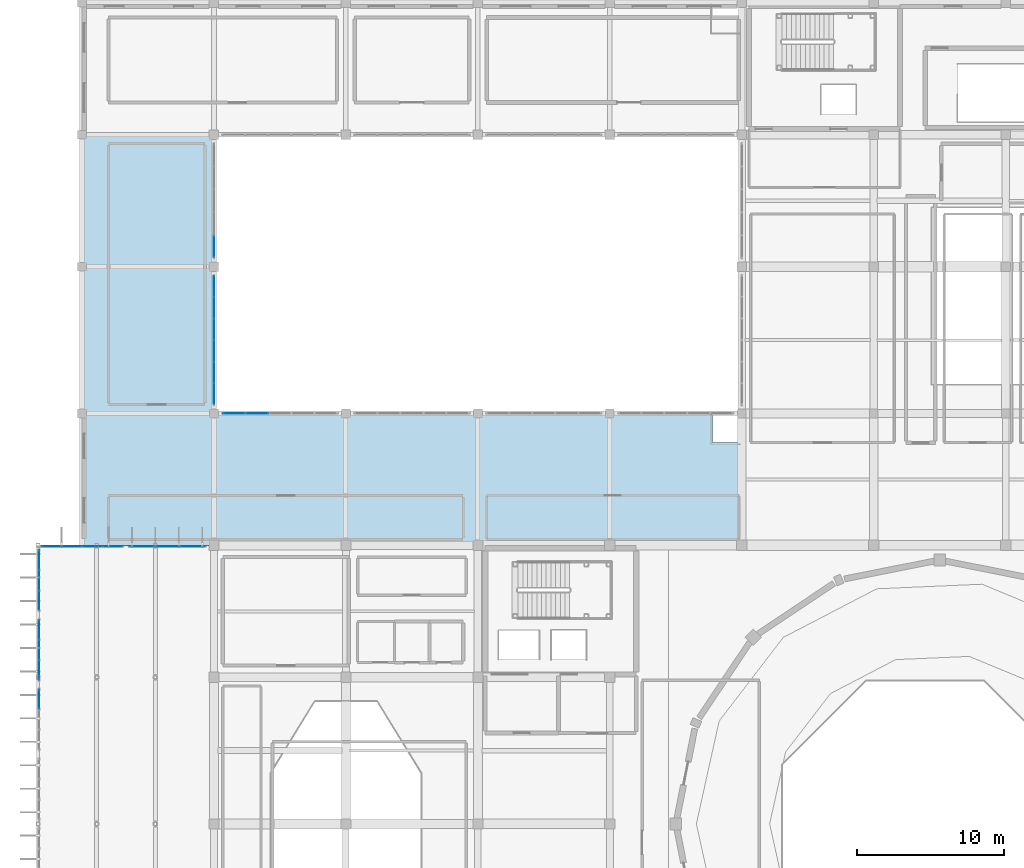
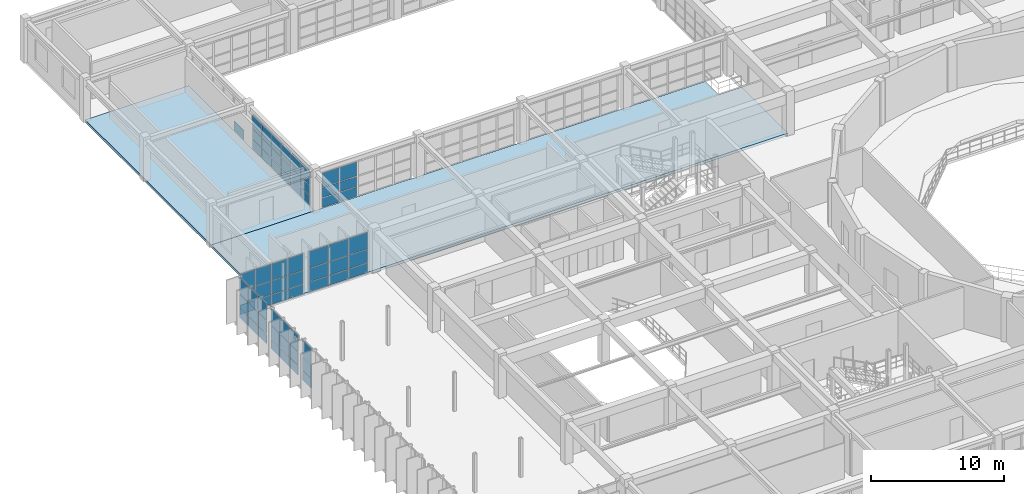
# One storey, part 84 of 110: 67 plates, 2 slabs, 8 elements without a shape of their own.
"""IFC4 building model written with IfcOpenShell, lengths in metres."""

from ifc_helpers import new_model, si_unit, direction, frame, origin, origin_2d, place, context, subcontext, project, spatial, polyline, rectangle, outline, extrude, material, layer, layer_set, type_object, element, aggregate, save


model = new_model("IFC4")

# Units and contexts
model_context = context("Model", 3, precision=1e-05, world=origin(), true_north=direction((0.0, 1.0)))
body_context = subcontext(model_context, "Body", "Model", "MODEL_VIEW")
ifc_project = project(units=[si_unit("LENGTHUNIT", "METRE"), si_unit("AREAUNIT", "SQUARE_METRE"), si_unit("VOLUMEUNIT", "CUBIC_METRE"), si_unit("PLANEANGLEUNIT", "RADIAN"), si_unit("MASSUNIT", "GRAM", prefix="KILO")], contexts=[model_context])

# Site, building, storey
site_placement = place(None, origin())
site = spatial("IfcSite", under=ifc_project, at=site_placement, CompositionType="ELEMENT")
building_placement = place(site_placement, origin())
building = spatial("IfcBuilding", under=site, at=building_placement, Name="Miravela Opera House", CompositionType="ELEMENT")
storey_placement = place(building_placement, frame((0.0, 0.0, 13.60009765625)))
storey = spatial("IfcBuildingStorey", under=building, at=storey_placement, Name="L03", CompositionType="ELEMENT", Elevation=13.60009765625)

# Curtain wall, plates
ifc_material_1 = material(Name="Anodised architectural bronze aluminium 6063-T6", Category="aluminium")
curtain_wall_type_1 = type_object("IfcCurtainWallType", Name="ARC-CW-05", PredefinedType="NOTDEFINED", material=ifc_material_1)
curtain_wall_1_placement = place(storey_placement, origin())
curtain_wall_1 = element("IfcCurtainWall", 1, at=curtain_wall_1_placement, inside=storey, type_object=curtain_wall_type_1, Name="Courtyard Arcade Curtain Wall CW-L03-101", PredefinedType="NOTDEFINED")
ifc_material_2 = material(Name="Acoustic laminated low-E insulating glass", Category="glass")
ifc_layer_1 = layer(ifc_material_2, 0.028076171875)
ifc_layer_set_1 = layer_set([ifc_layer_1])
plate_type_1 = type_object("IfcPlateType", Name="ARC-CWP-28", PredefinedType="CURTAIN_PANEL", material=ifc_layer_set_1)
plate_1_placement = place(storey_placement, frame((28.37890625, 84.0, 0.06005859375), z_axis=(0.0, 0.0, 1.0), x_axis=(1.0, 0.0, 0.0)))
plate_1 = element("IfcPlate", 2, at=plate_1_placement, type_object=plate_type_1, Name="CW-05 panel 1.1", PredefinedType="CURTAIN_PANEL", context=body_context, shape_type="SweptSolid", body=[
    extrude(rectangle(XDim=1.47802734375, YDim=0.028076171875, at=origin_2d()), origin(), (0.0, 0.0, 1.0), 0.860107421875),
])
plate_2_placement = place(storey_placement, frame((28.37890625, 84.0, 0.97998046875), z_axis=(0.0, 0.0, 1.0), x_axis=(1.0, 0.0, 0.0)))
plate_2 = element("IfcPlate", 3, at=plate_2_placement, type_object=plate_type_1, Name="CW-05 panel 1.2", PredefinedType="CURTAIN_PANEL", context=body_context, shape_type="SweptSolid", body=[
    extrude(rectangle(XDim=1.47802734375, YDim=0.028076171875, at=origin_2d()), origin(), (0.0, 0.0, 1.0), 0.898193359375),
])
plate_3_placement = place(storey_placement, frame((28.37890625, 84.0, 1.93798828125), z_axis=(0.0, 0.0, 1.0), x_axis=(1.0, 0.0, 0.0)))
plate_3 = element("IfcPlate", 4, at=plate_3_placement, type_object=plate_type_1, Name="CW-05 panel 1.3", PredefinedType="CURTAIN_PANEL", context=body_context, shape_type="SweptSolid", body=[
    extrude(rectangle(XDim=1.47802734375, YDim=0.028076171875, at=origin_2d()), origin(), (0.0, 0.0, 1.0), 1.291748046875),
])
plate_4_placement = place(storey_placement, frame((29.931884765625, 84.0, 0.06005859375), z_axis=(0.0, 0.0, 1.0), x_axis=(1.0, 0.0, 0.0)))
plate_4 = element("IfcPlate", 5, at=plate_4_placement, type_object=plate_type_1, Name="CW-05 panel 2.1", PredefinedType="CURTAIN_PANEL", context=body_context, shape_type="SweptSolid", body=[
    extrude(rectangle(XDim=1.508056640625, YDim=0.028076171875, at=origin_2d()), origin(), (0.0, 0.0, 1.0), 0.860107421875),
])
plate_5_placement = place(storey_placement, frame((29.931884765625, 84.0, 0.97998046875), z_axis=(0.0, 0.0, 1.0), x_axis=(1.0, 0.0, 0.0)))
plate_5 = element("IfcPlate", 6, at=plate_5_placement, type_object=plate_type_1, Name="CW-05 panel 2.2", PredefinedType="CURTAIN_PANEL", context=body_context, shape_type="SweptSolid", body=[
    extrude(rectangle(XDim=1.508056640625, YDim=0.028076171875, at=origin_2d()), origin(), (0.0, 0.0, 1.0), 0.898193359375),
])
plate_6_placement = place(storey_placement, frame((29.931884765625, 84.0, 1.93798828125), z_axis=(0.0, 0.0, 1.0), x_axis=(1.0, 0.0, 0.0)))
plate_6 = element("IfcPlate", 7, at=plate_6_placement, type_object=plate_type_1, Name="CW-05 panel 2.3", PredefinedType="CURTAIN_PANEL", context=body_context, shape_type="SweptSolid", body=[
    extrude(rectangle(XDim=1.508056640625, YDim=0.028076171875, at=origin_2d()), origin(), (0.0, 0.0, 1.0), 1.291748046875),
])
aggregate(curtain_wall_1, [plate_1, plate_2, plate_3, plate_4, plate_5, plate_6])

curtain_wall_2_placement = place(storey_placement, origin())
curtain_wall_2 = element("IfcCurtainWall", 8, at=curtain_wall_2_placement, inside=storey, type_object=curtain_wall_type_1, Name="Courtyard Arcade Curtain Wall CW-L03-109", PredefinedType="NOTDEFINED")
plate_7_placement = place(storey_placement, frame((27.0, 85.331787109375, 0.06005859375), z_axis=(0.0, 0.0, 1.0), x_axis=(0.0, 1.0, 0.0)))
plate_7 = element("IfcPlate", 9, at=plate_7_placement, type_object=plate_type_1, Name="CW-05 panel 1.1", PredefinedType="CURTAIN_PANEL", context=body_context, shape_type="SweptSolid", body=[
    extrude(rectangle(XDim=1.38330078125, YDim=0.028076171875, at=origin_2d()), origin(), (0.0, 0.0, 1.0), 0.860107421875),
])
plate_8_placement = place(storey_placement, frame((27.0, 85.331787109375, 0.97998046875), z_axis=(0.0, 0.0, 1.0), x_axis=(0.0, 1.0, 0.0)))
plate_8 = element("IfcPlate", 10, at=plate_8_placement, type_object=plate_type_1, Name="CW-05 panel 1.2", PredefinedType="CURTAIN_PANEL", context=body_context, shape_type="SweptSolid", body=[
    extrude(rectangle(XDim=1.38330078125, YDim=0.028076171875, at=origin_2d()), origin(), (0.0, 0.0, 1.0), 0.898193359375),
])
plate_9_placement = place(storey_placement, frame((27.0, 85.331787109375, 1.93798828125), z_axis=(0.0, 0.0, 1.0), x_axis=(0.0, 1.0, 0.0)))
plate_9 = element("IfcPlate", 11, at=plate_9_placement, type_object=plate_type_1, Name="CW-05 panel 1.3", PredefinedType="CURTAIN_PANEL", context=body_context, shape_type="SweptSolid", body=[
    extrude(rectangle(XDim=1.38330078125, YDim=0.028076171875, at=origin_2d()), origin(), (0.0, 0.0, 1.0), 1.291748046875),
])
plate_10_placement = place(storey_placement, frame((27.0, 86.7900390625, 0.06005859375), z_axis=(0.0, 0.0, 1.0), x_axis=(0.0, 1.0, 0.0)))
plate_10 = element("IfcPlate", 12, at=plate_10_placement, type_object=plate_type_1, Name="CW-05 panel 2.1", PredefinedType="CURTAIN_PANEL", context=body_context, shape_type="SweptSolid", body=[
    extrude(rectangle(XDim=1.413330078125, YDim=0.028076171875, at=origin_2d()), origin(), (0.0, 0.0, 1.0), 0.860107421875),
])
plate_11_placement = place(storey_placement, frame((27.0, 86.7900390625, 0.97998046875), z_axis=(0.0, 0.0, 1.0), x_axis=(0.0, 1.0, 0.0)))
plate_11 = element("IfcPlate", 13, at=plate_11_placement, type_object=plate_type_1, Name="CW-05 panel 2.2", PredefinedType="CURTAIN_PANEL", context=body_context, shape_type="SweptSolid", body=[
    extrude(rectangle(XDim=1.413330078125, YDim=0.028076171875, at=origin_2d()), origin(), (0.0, 0.0, 1.0), 0.898193359375),
])
plate_12_placement = place(storey_placement, frame((27.0, 86.7900390625, 1.93798828125), z_axis=(0.0, 0.0, 1.0), x_axis=(0.0, 1.0, 0.0)))
plate_12 = element("IfcPlate", 14, at=plate_12_placement, type_object=plate_type_1, Name="CW-05 panel 2.3", PredefinedType="CURTAIN_PANEL", context=body_context, shape_type="SweptSolid", body=[
    extrude(rectangle(XDim=1.413330078125, YDim=0.028076171875, at=origin_2d()), origin(), (0.0, 0.0, 1.0), 1.291748046875),
])
plate_13_placement = place(storey_placement, frame((27.0, 88.263427734375, 0.06005859375), z_axis=(0.0, 0.0, 1.0), x_axis=(0.0, 1.0, 0.0)))
plate_13 = element("IfcPlate", 15, at=plate_13_placement, type_object=plate_type_1, Name="CW-05 panel 3.1", PredefinedType="CURTAIN_PANEL", context=body_context, shape_type="SweptSolid", body=[
    extrude(rectangle(XDim=1.413330078125, YDim=0.028076171875, at=origin_2d()), origin(), (0.0, 0.0, 1.0), 0.860107421875),
])
plate_14_placement = place(storey_placement, frame((27.0, 88.263427734375, 0.97998046875), z_axis=(0.0, 0.0, 1.0), x_axis=(0.0, 1.0, 0.0)))
plate_14 = element("IfcPlate", 16, at=plate_14_placement, type_object=plate_type_1, Name="CW-05 panel 3.2", PredefinedType="CURTAIN_PANEL", context=body_context, shape_type="SweptSolid", body=[
    extrude(rectangle(XDim=1.413330078125, YDim=0.028076171875, at=origin_2d()), origin(), (0.0, 0.0, 1.0), 0.898193359375),
])
plate_15_placement = place(storey_placement, frame((27.0, 88.263427734375, 1.93798828125), z_axis=(0.0, 0.0, 1.0), x_axis=(0.0, 1.0, 0.0)))
plate_15 = element("IfcPlate", 17, at=plate_15_placement, type_object=plate_type_1, Name="CW-05 panel 3.3", PredefinedType="CURTAIN_PANEL", context=body_context, shape_type="SweptSolid", body=[
    extrude(rectangle(XDim=1.413330078125, YDim=0.028076171875, at=origin_2d()), origin(), (0.0, 0.0, 1.0), 1.291748046875),
])
plate_16_placement = place(storey_placement, frame((27.0, 89.736572265625, 0.06005859375), z_axis=(0.0, 0.0, 1.0), x_axis=(0.0, 1.0, 0.0)))
plate_16 = element("IfcPlate", 18, at=plate_16_placement, type_object=plate_type_1, Name="CW-05 panel 4.1", PredefinedType="CURTAIN_PANEL", context=body_context, shape_type="SweptSolid", body=[
    extrude(rectangle(XDim=1.413330078125, YDim=0.028076171875, at=origin_2d()), origin(), (0.0, 0.0, 1.0), 0.860107421875),
])
plate_17_placement = place(storey_placement, frame((27.0, 89.736572265625, 0.97998046875), z_axis=(0.0, 0.0, 1.0), x_axis=(0.0, 1.0, 0.0)))
plate_17 = element("IfcPlate", 19, at=plate_17_placement, type_object=plate_type_1, Name="CW-05 panel 4.2", PredefinedType="CURTAIN_PANEL", context=body_context, shape_type="SweptSolid", body=[
    extrude(rectangle(XDim=1.413330078125, YDim=0.028076171875, at=origin_2d()), origin(), (0.0, 0.0, 1.0), 0.898193359375),
])
plate_18_placement = place(storey_placement, frame((27.0, 89.736572265625, 1.93798828125), z_axis=(0.0, 0.0, 1.0), x_axis=(0.0, 1.0, 0.0)))
plate_18 = element("IfcPlate", 20, at=plate_18_placement, type_object=plate_type_1, Name="CW-05 panel 4.3", PredefinedType="CURTAIN_PANEL", context=body_context, shape_type="SweptSolid", body=[
    extrude(rectangle(XDim=1.413330078125, YDim=0.028076171875, at=origin_2d()), origin(), (0.0, 0.0, 1.0), 1.291748046875),
])
plate_19_placement = place(storey_placement, frame((27.0, 91.2099609375, 0.06005859375), z_axis=(0.0, 0.0, 1.0), x_axis=(0.0, 1.0, 0.0)))
plate_19 = element("IfcPlate", 21, at=plate_19_placement, type_object=plate_type_1, Name="CW-05 panel 5.1", PredefinedType="CURTAIN_PANEL", context=body_context, shape_type="SweptSolid", body=[
    extrude(rectangle(XDim=1.413330078125, YDim=0.028076171875, at=origin_2d()), origin(), (0.0, 0.0, 1.0), 0.860107421875),
])
plate_20_placement = place(storey_placement, frame((27.0, 91.2099609375, 0.97998046875), z_axis=(0.0, 0.0, 1.0), x_axis=(0.0, 1.0, 0.0)))
plate_20 = element("IfcPlate", 22, at=plate_20_placement, type_object=plate_type_1, Name="CW-05 panel 5.2", PredefinedType="CURTAIN_PANEL", context=body_context, shape_type="SweptSolid", body=[
    extrude(rectangle(XDim=1.413330078125, YDim=0.028076171875, at=origin_2d()), origin(), (0.0, 0.0, 1.0), 0.898193359375),
])
plate_21_placement = place(storey_placement, frame((27.0, 91.2099609375, 1.93798828125), z_axis=(0.0, 0.0, 1.0), x_axis=(0.0, 1.0, 0.0)))
plate_21 = element("IfcPlate", 23, at=plate_21_placement, type_object=plate_type_1, Name="CW-05 panel 5.3", PredefinedType="CURTAIN_PANEL", context=body_context, shape_type="SweptSolid", body=[
    extrude(rectangle(XDim=1.413330078125, YDim=0.028076171875, at=origin_2d()), origin(), (0.0, 0.0, 1.0), 1.291748046875),
])
plate_22_placement = place(storey_placement, frame((27.0, 92.668212890625, 0.06005859375), z_axis=(0.0, 0.0, 1.0), x_axis=(0.0, 1.0, 0.0)))
plate_22 = element("IfcPlate", 24, at=plate_22_placement, type_object=plate_type_1, Name="CW-05 panel 6.1", PredefinedType="CURTAIN_PANEL", context=body_context, shape_type="SweptSolid", body=[
    extrude(rectangle(XDim=1.38330078125, YDim=0.028076171875, at=origin_2d()), origin(), (0.0, 0.0, 1.0), 0.860107421875),
])
plate_23_placement = place(storey_placement, frame((27.0, 92.668212890625, 0.97998046875), z_axis=(0.0, 0.0, 1.0), x_axis=(0.0, 1.0, 0.0)))
plate_23 = element("IfcPlate", 25, at=plate_23_placement, type_object=plate_type_1, Name="CW-05 panel 6.2", PredefinedType="CURTAIN_PANEL", context=body_context, shape_type="SweptSolid", body=[
    extrude(rectangle(XDim=1.38330078125, YDim=0.028076171875, at=origin_2d()), origin(), (0.0, 0.0, 1.0), 0.898193359375),
])
plate_24_placement = place(storey_placement, frame((27.0, 92.668212890625, 1.93798828125), z_axis=(0.0, 0.0, 1.0), x_axis=(0.0, 1.0, 0.0)))
plate_24 = element("IfcPlate", 26, at=plate_24_placement, type_object=plate_type_1, Name="CW-05 panel 6.3", PredefinedType="CURTAIN_PANEL", context=body_context, shape_type="SweptSolid", body=[
    extrude(rectangle(XDim=1.38330078125, YDim=0.028076171875, at=origin_2d()), origin(), (0.0, 0.0, 1.0), 1.291748046875),
])
aggregate(curtain_wall_2, [plate_7, plate_8, plate_9, plate_10, plate_11, plate_12, plate_13, plate_14, plate_15, plate_16, plate_17, plate_18, plate_19, plate_20, plate_21, plate_22, plate_23, plate_24])

# Curtain wall, plate
curtain_wall_3_placement = place(storey_placement, origin())
curtain_wall_3 = element("IfcCurtainWall", 27, at=curtain_wall_3_placement, inside=storey, type_object=curtain_wall_type_1, Name="Courtyard Arcade Curtain Wall CW-L03-110", PredefinedType="NOTDEFINED")
plate_25_placement = place(storey_placement, frame((27.0, 95.37890625, 0.06005859375), z_axis=(0.0, 0.0, 1.0), x_axis=(0.0, 1.0, 0.0)))
plate_25 = element("IfcPlate", 28, at=plate_25_placement, type_object=plate_type_1, Name="CW-05 panel 1.1", PredefinedType="CURTAIN_PANEL", context=body_context, shape_type="SweptSolid", body=[
    extrude(rectangle(XDim=1.47802734375, YDim=0.028076171875, at=origin_2d()), origin(), (0.0, 0.0, 1.0), 0.860107421875),
])
aggregate(curtain_wall_3, [plate_25])

# Curtain wall, plates
curtain_wall_type_2 = type_object("IfcCurtainWallType", Name="ARC-CW-02", PredefinedType="NOTDEFINED", material=ifc_material_1)
curtain_wall_4_placement = place(storey_placement, origin())
curtain_wall_4 = element("IfcCurtainWall", 29, at=curtain_wall_4_placement, inside=storey, type_object=curtain_wall_type_2, Name="Cantilever West Wrapper Glazing B6 CW-L03-020", PredefinedType="NOTDEFINED")
ifc_material_3 = material(Name="Triple-glazed acoustic laminated low-E glass", Category="glass")
ifc_layer_2 = layer(ifc_material_3, 0.035888671875)
ifc_layer_set_2 = layer_set([ifc_layer_2])
plate_type_2 = type_object("IfcPlateType", Name="ARC-CWP-36", PredefinedType="CURTAIN_PANEL", material=ifc_layer_set_2)
plate_26_placement = place(storey_placement, frame((15.080078125, 64.50537109375, 0.06494140625), z_axis=(0.0, 0.0, 1.0), x_axis=(0.0, 1.0, 0.0)))
plate_26 = element("IfcPlate", 30, at=plate_26_placement, type_object=plate_type_2, Name="CW-02 panel 3.1", PredefinedType="CURTAIN_PANEL", context=body_context, shape_type="SweptSolid", body=[
    extrude(rectangle(XDim=1.299072265625, YDim=0.035888671875, at=origin_2d()), origin(), (0.0, 0.0, 1.0), 0.8525390625),
])
plate_27_placement = place(storey_placement, frame((15.080078125, 64.50537109375, 0.982421875), z_axis=(0.0, 0.0, 1.0), x_axis=(0.0, 1.0, 0.0)))
plate_27 = element("IfcPlate", 31, at=plate_27_placement, type_object=plate_type_2, Name="CW-02 panel 3.2", PredefinedType="CURTAIN_PANEL", context=body_context, shape_type="SweptSolid", body=[
    extrude(rectangle(XDim=1.299072265625, YDim=0.035888671875, at=origin_2d()), origin(), (0.0, 0.0, 1.0), 1.20068359375),
])
plate_28_placement = place(storey_placement, frame((15.080078125, 64.50537109375, 2.248046875), z_axis=(0.0, 0.0, 1.0), x_axis=(0.0, 1.0, 0.0)))
plate_28 = element("IfcPlate", 32, at=plate_28_placement, type_object=plate_type_2, Name="CW-02 panel 3.3", PredefinedType="CURTAIN_PANEL", context=body_context, shape_type="SweptSolid", body=[
    extrude(rectangle(XDim=1.299072265625, YDim=0.035888671875, at=origin_2d()), origin(), (0.0, 0.0, 1.0), 1.5068359375),
])
aggregate(curtain_wall_4, [plate_26, plate_27, plate_28])

curtain_wall_5_placement = place(storey_placement, origin())
curtain_wall_5 = element("IfcCurtainWall", 33, at=curtain_wall_5_placement, inside=storey, type_object=curtain_wall_type_2, Name="Cantilever West Wrapper Glazing B7 CW-L03-021", PredefinedType="NOTDEFINED")
plate_29_placement = place(storey_placement, frame((15.080078125, 66.49462890625, 0.06494140625), z_axis=(0.0, 0.0, 1.0), x_axis=(0.0, 1.0, 0.0)))
plate_29 = element("IfcPlate", 34, at=plate_29_placement, type_object=plate_type_2, Name="CW-02 panel 1.1", PredefinedType="CURTAIN_PANEL", context=body_context, shape_type="SweptSolid", body=[
    extrude(rectangle(XDim=1.299072265625, YDim=0.035888671875, at=origin_2d()), origin(), (0.0, 0.0, 1.0), 0.8525390625),
])
plate_30_placement = place(storey_placement, frame((15.080078125, 66.49462890625, 0.982421875), z_axis=(0.0, 0.0, 1.0), x_axis=(0.0, 1.0, 0.0)))
plate_30 = element("IfcPlate", 35, at=plate_30_placement, type_object=plate_type_2, Name="CW-02 panel 1.2", PredefinedType="CURTAIN_PANEL", context=body_context, shape_type="SweptSolid", body=[
    extrude(rectangle(XDim=1.299072265625, YDim=0.035888671875, at=origin_2d()), origin(), (0.0, 0.0, 1.0), 1.20068359375),
])
plate_31_placement = place(storey_placement, frame((15.080078125, 66.49462890625, 2.248046875), z_axis=(0.0, 0.0, 1.0), x_axis=(0.0, 1.0, 0.0)))
plate_31 = element("IfcPlate", 36, at=plate_31_placement, type_object=plate_type_2, Name="CW-02 panel 1.3", PredefinedType="CURTAIN_PANEL", context=body_context, shape_type="SweptSolid", body=[
    extrude(rectangle(XDim=1.299072265625, YDim=0.035888671875, at=origin_2d()), origin(), (0.0, 0.0, 1.0), 1.5068359375),
])
plate_32_placement = place(storey_placement, frame((15.080078125, 67.875, 0.06494140625), z_axis=(0.0, 0.0, 1.0), x_axis=(0.0, 1.0, 0.0)))
plate_32 = element("IfcPlate", 37, at=plate_32_placement, type_object=plate_type_2, Name="CW-02 panel 2.1", PredefinedType="CURTAIN_PANEL", context=body_context, shape_type="SweptSolid", body=[
    extrude(rectangle(XDim=1.331787109375, YDim=0.035888671875, at=origin_2d()), origin(), (0.0, 0.0, 1.0), 0.8525390625),
])
plate_33_placement = place(storey_placement, frame((15.080078125, 67.875, 0.982421875), z_axis=(0.0, 0.0, 1.0), x_axis=(0.0, 1.0, 0.0)))
plate_33 = element("IfcPlate", 38, at=plate_33_placement, type_object=plate_type_2, Name="CW-02 panel 2.2", PredefinedType="CURTAIN_PANEL", context=body_context, shape_type="SweptSolid", body=[
    extrude(rectangle(XDim=1.331787109375, YDim=0.035888671875, at=origin_2d()), origin(), (0.0, 0.0, 1.0), 1.20068359375),
])
plate_34_placement = place(storey_placement, frame((15.080078125, 67.875, 2.248046875), z_axis=(0.0, 0.0, 1.0), x_axis=(0.0, 1.0, 0.0)))
plate_34 = element("IfcPlate", 39, at=plate_34_placement, type_object=plate_type_2, Name="CW-02 panel 2.3", PredefinedType="CURTAIN_PANEL", context=body_context, shape_type="SweptSolid", body=[
    extrude(rectangle(XDim=1.331787109375, YDim=0.035888671875, at=origin_2d()), origin(), (0.0, 0.0, 1.0), 1.5068359375),
])
plate_35_placement = place(storey_placement, frame((15.080078125, 69.25537109375, 0.06494140625), z_axis=(0.0, 0.0, 1.0), x_axis=(0.0, 1.0, 0.0)))
plate_35 = element("IfcPlate", 40, at=plate_35_placement, type_object=plate_type_2, Name="CW-02 panel 3.1", PredefinedType="CURTAIN_PANEL", context=body_context, shape_type="SweptSolid", body=[
    extrude(rectangle(XDim=1.299072265625, YDim=0.035888671875, at=origin_2d()), origin(), (0.0, 0.0, 1.0), 0.8525390625),
])
plate_36_placement = place(storey_placement, frame((15.080078125, 69.25537109375, 0.982421875), z_axis=(0.0, 0.0, 1.0), x_axis=(0.0, 1.0, 0.0)))
plate_36 = element("IfcPlate", 41, at=plate_36_placement, type_object=plate_type_2, Name="CW-02 panel 3.2", PredefinedType="CURTAIN_PANEL", context=body_context, shape_type="SweptSolid", body=[
    extrude(rectangle(XDim=1.299072265625, YDim=0.035888671875, at=origin_2d()), origin(), (0.0, 0.0, 1.0), 1.20068359375),
])
plate_37_placement = place(storey_placement, frame((15.080078125, 69.25537109375, 2.248046875), z_axis=(0.0, 0.0, 1.0), x_axis=(0.0, 1.0, 0.0)))
plate_37 = element("IfcPlate", 42, at=plate_37_placement, type_object=plate_type_2, Name="CW-02 panel 3.3", PredefinedType="CURTAIN_PANEL", context=body_context, shape_type="SweptSolid", body=[
    extrude(rectangle(XDim=1.299072265625, YDim=0.035888671875, at=origin_2d()), origin(), (0.0, 0.0, 1.0), 1.5068359375),
])
aggregate(curtain_wall_5, [plate_29, plate_30, plate_31, plate_32, plate_33, plate_34, plate_35, plate_36, plate_37])

curtain_wall_6_placement = place(storey_placement, origin())
curtain_wall_6 = element("IfcCurtainWall", 43, at=curtain_wall_6_placement, inside=storey, type_object=curtain_wall_type_2, Name="Cantilever West Wrapper Glazing B8 CW-L03-022", PredefinedType="NOTDEFINED")
plate_38_placement = place(storey_placement, frame((15.080078125, 71.24462890625, 0.06494140625), z_axis=(0.0, 0.0, 1.0), x_axis=(0.0, 1.0, 0.0)))
plate_38 = element("IfcPlate", 44, at=plate_38_placement, type_object=plate_type_2, Name="CW-02 panel 1.1", PredefinedType="CURTAIN_PANEL", context=body_context, shape_type="SweptSolid", body=[
    extrude(rectangle(XDim=1.299072265625, YDim=0.035888671875, at=origin_2d()), origin(), (0.0, 0.0, 1.0), 0.8525390625),
])
plate_39_placement = place(storey_placement, frame((15.080078125, 71.24462890625, 0.982421875), z_axis=(0.0, 0.0, 1.0), x_axis=(0.0, 1.0, 0.0)))
plate_39 = element("IfcPlate", 45, at=plate_39_placement, type_object=plate_type_2, Name="CW-02 panel 1.2", PredefinedType="CURTAIN_PANEL", context=body_context, shape_type="SweptSolid", body=[
    extrude(rectangle(XDim=1.299072265625, YDim=0.035888671875, at=origin_2d()), origin(), (0.0, 0.0, 1.0), 1.20068359375),
])
plate_40_placement = place(storey_placement, frame((15.080078125, 71.24462890625, 2.248046875), z_axis=(0.0, 0.0, 1.0), x_axis=(0.0, 1.0, 0.0)))
plate_40 = element("IfcPlate", 46, at=plate_40_placement, type_object=plate_type_2, Name="CW-02 panel 1.3", PredefinedType="CURTAIN_PANEL", context=body_context, shape_type="SweptSolid", body=[
    extrude(rectangle(XDim=1.299072265625, YDim=0.035888671875, at=origin_2d()), origin(), (0.0, 0.0, 1.0), 1.5068359375),
])
plate_41_placement = place(storey_placement, frame((15.080078125, 72.625, 0.06494140625), z_axis=(0.0, 0.0, 1.0), x_axis=(0.0, 1.0, 0.0)))
plate_41 = element("IfcPlate", 47, at=plate_41_placement, type_object=plate_type_2, Name="CW-02 panel 2.1", PredefinedType="CURTAIN_PANEL", context=body_context, shape_type="SweptSolid", body=[
    extrude(rectangle(XDim=1.331787109375, YDim=0.035888671875, at=origin_2d()), origin(), (0.0, 0.0, 1.0), 0.8525390625),
])
plate_42_placement = place(storey_placement, frame((15.080078125, 72.625, 0.982421875), z_axis=(0.0, 0.0, 1.0), x_axis=(0.0, 1.0, 0.0)))
plate_42 = element("IfcPlate", 48, at=plate_42_placement, type_object=plate_type_2, Name="CW-02 panel 2.2", PredefinedType="CURTAIN_PANEL", context=body_context, shape_type="SweptSolid", body=[
    extrude(rectangle(XDim=1.331787109375, YDim=0.035888671875, at=origin_2d()), origin(), (0.0, 0.0, 1.0), 1.20068359375),
])
plate_43_placement = place(storey_placement, frame((15.080078125, 72.625, 2.248046875), z_axis=(0.0, 0.0, 1.0), x_axis=(0.0, 1.0, 0.0)))
plate_43 = element("IfcPlate", 49, at=plate_43_placement, type_object=plate_type_2, Name="CW-02 panel 2.3", PredefinedType="CURTAIN_PANEL", context=body_context, shape_type="SweptSolid", body=[
    extrude(rectangle(XDim=1.331787109375, YDim=0.035888671875, at=origin_2d()), origin(), (0.0, 0.0, 1.0), 1.5068359375),
])
plate_44_placement = place(storey_placement, frame((15.080078125, 74.00537109375, 0.06494140625), z_axis=(0.0, 0.0, 1.0), x_axis=(0.0, 1.0, 0.0)))
plate_44 = element("IfcPlate", 50, at=plate_44_placement, type_object=plate_type_2, Name="CW-02 panel 3.1", PredefinedType="CURTAIN_PANEL", context=body_context, shape_type="SweptSolid", body=[
    extrude(rectangle(XDim=1.299072265625, YDim=0.035888671875, at=origin_2d()), origin(), (0.0, 0.0, 1.0), 0.8525390625),
])
plate_45_placement = place(storey_placement, frame((15.080078125, 74.00537109375, 0.982421875), z_axis=(0.0, 0.0, 1.0), x_axis=(0.0, 1.0, 0.0)))
plate_45 = element("IfcPlate", 51, at=plate_45_placement, type_object=plate_type_2, Name="CW-02 panel 3.2", PredefinedType="CURTAIN_PANEL", context=body_context, shape_type="SweptSolid", body=[
    extrude(rectangle(XDim=1.299072265625, YDim=0.035888671875, at=origin_2d()), origin(), (0.0, 0.0, 1.0), 1.20068359375),
])
plate_46_placement = place(storey_placement, frame((15.080078125, 74.00537109375, 2.248046875), z_axis=(0.0, 0.0, 1.0), x_axis=(0.0, 1.0, 0.0)))
plate_46 = element("IfcPlate", 52, at=plate_46_placement, type_object=plate_type_2, Name="CW-02 panel 3.3", PredefinedType="CURTAIN_PANEL", context=body_context, shape_type="SweptSolid", body=[
    extrude(rectangle(XDim=1.299072265625, YDim=0.035888671875, at=origin_2d()), origin(), (0.0, 0.0, 1.0), 1.5068359375),
])
aggregate(curtain_wall_6, [plate_38, plate_39, plate_40, plate_41, plate_42, plate_43, plate_44, plate_45, plate_46])

curtain_wall_7_placement = place(storey_placement, origin())
curtain_wall_7 = element("IfcCurtainWall", 53, at=curtain_wall_7_placement, inside=storey, type_object=curtain_wall_type_2, Name="Auditorium North Wrapper Glazing CW-L03-023", PredefinedType="NOTDEFINED")
plate_47_placement = place(storey_placement, frame((15.916259765625, 74.919921875, 0.06494140625), z_axis=(0.0, 0.0, 1.0), x_axis=(1.0, 0.0, 0.0)))
plate_47 = element("IfcPlate", 54, at=plate_47_placement, type_object=plate_type_2, Name="CW-02 panel 1.1", PredefinedType="CURTAIN_PANEL", context=body_context, shape_type="SweptSolid", body=[
    extrude(rectangle(XDim=1.302490234375, YDim=0.035888671875, at=origin_2d()), origin(), (0.0, 0.0, 1.0), 0.8525390625),
])
plate_48_placement = place(storey_placement, frame((15.916259765625, 74.919921875, 0.982421875), z_axis=(0.0, 0.0, 1.0), x_axis=(1.0, 0.0, 0.0)))
plate_48 = element("IfcPlate", 55, at=plate_48_placement, type_object=plate_type_2, Name="CW-02 panel 1.2", PredefinedType="CURTAIN_PANEL", context=body_context, shape_type="SweptSolid", body=[
    extrude(rectangle(XDim=1.302490234375, YDim=0.035888671875, at=origin_2d()), origin(), (0.0, 0.0, 1.0), 1.20068359375),
])
plate_49_placement = place(storey_placement, frame((15.916259765625, 74.919921875, 2.248046875), z_axis=(0.0, 0.0, 1.0), x_axis=(1.0, 0.0, 0.0)))
plate_49 = element("IfcPlate", 56, at=plate_49_placement, type_object=plate_type_2, Name="CW-02 panel 1.3", PredefinedType="CURTAIN_PANEL", context=body_context, shape_type="SweptSolid", body=[
    extrude(rectangle(XDim=1.302490234375, YDim=0.035888671875, at=origin_2d()), origin(), (0.0, 0.0, 1.0), 1.5068359375),
])
plate_50_placement = place(storey_placement, frame((17.300048828125, 74.919921875, 0.06494140625), z_axis=(0.0, 0.0, 1.0), x_axis=(1.0, 0.0, 0.0)))
plate_50 = element("IfcPlate", 57, at=plate_50_placement, type_object=plate_type_2, Name="CW-02 panel 2.1", PredefinedType="CURTAIN_PANEL", context=body_context, shape_type="SweptSolid", body=[
    extrude(rectangle(XDim=1.3349609375, YDim=0.035888671875, at=origin_2d()), origin(), (0.0, 0.0, 1.0), 0.8525390625),
])
plate_51_placement = place(storey_placement, frame((17.300048828125, 74.919921875, 0.982421875), z_axis=(0.0, 0.0, 1.0), x_axis=(1.0, 0.0, 0.0)))
plate_51 = element("IfcPlate", 58, at=plate_51_placement, type_object=plate_type_2, Name="CW-02 panel 2.2", PredefinedType="CURTAIN_PANEL", context=body_context, shape_type="SweptSolid", body=[
    extrude(rectangle(XDim=1.3349609375, YDim=0.035888671875, at=origin_2d()), origin(), (0.0, 0.0, 1.0), 1.20068359375),
])
plate_52_placement = place(storey_placement, frame((17.300048828125, 74.919921875, 2.248046875), z_axis=(0.0, 0.0, 1.0), x_axis=(1.0, 0.0, 0.0)))
plate_52 = element("IfcPlate", 59, at=plate_52_placement, type_object=plate_type_2, Name="CW-02 panel 2.3", PredefinedType="CURTAIN_PANEL", context=body_context, shape_type="SweptSolid", body=[
    extrude(rectangle(XDim=1.3349609375, YDim=0.035888671875, at=origin_2d()), origin(), (0.0, 0.0, 1.0), 1.5068359375),
])
plate_53_placement = place(storey_placement, frame((18.699951171875, 74.919921875, 0.06494140625), z_axis=(0.0, 0.0, 1.0), x_axis=(1.0, 0.0, 0.0)))
plate_53 = element("IfcPlate", 60, at=plate_53_placement, type_object=plate_type_2, Name="CW-02 panel 3.1", PredefinedType="CURTAIN_PANEL", context=body_context, shape_type="SweptSolid", body=[
    extrude(rectangle(XDim=1.3349609375, YDim=0.035888671875, at=origin_2d()), origin(), (0.0, 0.0, 1.0), 0.8525390625),
])
plate_54_placement = place(storey_placement, frame((18.699951171875, 74.919921875, 0.982421875), z_axis=(0.0, 0.0, 1.0), x_axis=(1.0, 0.0, 0.0)))
plate_54 = element("IfcPlate", 61, at=plate_54_placement, type_object=plate_type_2, Name="CW-02 panel 3.2", PredefinedType="CURTAIN_PANEL", context=body_context, shape_type="SweptSolid", body=[
    extrude(rectangle(XDim=1.3349609375, YDim=0.035888671875, at=origin_2d()), origin(), (0.0, 0.0, 1.0), 1.20068359375),
])
plate_55_placement = place(storey_placement, frame((18.699951171875, 74.919921875, 2.248046875), z_axis=(0.0, 0.0, 1.0), x_axis=(1.0, 0.0, 0.0)))
plate_55 = element("IfcPlate", 62, at=plate_55_placement, type_object=plate_type_2, Name="CW-02 panel 3.3", PredefinedType="CURTAIN_PANEL", context=body_context, shape_type="SweptSolid", body=[
    extrude(rectangle(XDim=1.3349609375, YDim=0.035888671875, at=origin_2d()), origin(), (0.0, 0.0, 1.0), 1.5068359375),
])
plate_56_placement = place(storey_placement, frame((20.083740234375, 74.919921875, 0.06494140625), z_axis=(0.0, 0.0, 1.0), x_axis=(1.0, 0.0, 0.0)))
plate_56 = element("IfcPlate", 63, at=plate_56_placement, type_object=plate_type_2, Name="CW-02 panel 4.1", PredefinedType="CURTAIN_PANEL", context=body_context, shape_type="SweptSolid", body=[
    extrude(rectangle(XDim=1.302490234375, YDim=0.035888671875, at=origin_2d()), origin(), (0.0, 0.0, 1.0), 0.8525390625),
])
plate_57_placement = place(storey_placement, frame((20.083740234375, 74.919921875, 0.982421875), z_axis=(0.0, 0.0, 1.0), x_axis=(1.0, 0.0, 0.0)))
plate_57 = element("IfcPlate", 64, at=plate_57_placement, type_object=plate_type_2, Name="CW-02 panel 4.2", PredefinedType="CURTAIN_PANEL", context=body_context, shape_type="SweptSolid", body=[
    extrude(rectangle(XDim=1.302490234375, YDim=0.035888671875, at=origin_2d()), origin(), (0.0, 0.0, 1.0), 1.20068359375),
])
plate_58_placement = place(storey_placement, frame((20.083740234375, 74.919921875, 2.248046875), z_axis=(0.0, 0.0, 1.0), x_axis=(1.0, 0.0, 0.0)))
plate_58 = element("IfcPlate", 65, at=plate_58_placement, type_object=plate_type_2, Name="CW-02 panel 4.3", PredefinedType="CURTAIN_PANEL", context=body_context, shape_type="SweptSolid", body=[
    extrude(rectangle(XDim=1.302490234375, YDim=0.035888671875, at=origin_2d()), origin(), (0.0, 0.0, 1.0), 1.5068359375),
])
aggregate(curtain_wall_7, [plate_47, plate_48, plate_49, plate_50, plate_51, plate_52, plate_53, plate_54, plate_55, plate_56, plate_57, plate_58])

curtain_wall_8_placement = place(storey_placement, origin())
curtain_wall_8 = element("IfcCurtainWall", 66, at=curtain_wall_8_placement, inside=storey, type_object=curtain_wall_type_2, Name="Auditorium North Wrapper Glazing CW-L03-025", PredefinedType="NOTDEFINED")
plate_59_placement = place(storey_placement, frame((22.086181640625, 74.919921875, 0.06494140625), z_axis=(0.0, 0.0, 1.0), x_axis=(1.0, 0.0, 0.0)))
plate_59 = element("IfcPlate", 67, at=plate_59_placement, type_object=plate_type_2, Name="CW-02 panel 1.1", PredefinedType="CURTAIN_PANEL", context=body_context, shape_type="SweptSolid", body=[
    extrude(rectangle(XDim=1.642578125, YDim=0.035888671875, at=origin_2d()), origin(), (0.0, 0.0, 1.0), 0.8525390625),
])
plate_60_placement = place(storey_placement, frame((22.086181640625, 74.919921875, 0.982421875), z_axis=(0.0, 0.0, 1.0), x_axis=(1.0, 0.0, 0.0)))
plate_60 = element("IfcPlate", 68, at=plate_60_placement, type_object=plate_type_2, Name="CW-02 panel 1.2", PredefinedType="CURTAIN_PANEL", context=body_context, shape_type="SweptSolid", body=[
    extrude(rectangle(XDim=1.642578125, YDim=0.035888671875, at=origin_2d()), origin(), (0.0, 0.0, 1.0), 1.20068359375),
])
plate_61_placement = place(storey_placement, frame((22.086181640625, 74.919921875, 2.248046875), z_axis=(0.0, 0.0, 1.0), x_axis=(1.0, 0.0, 0.0)))
plate_61 = element("IfcPlate", 69, at=plate_61_placement, type_object=plate_type_2, Name="CW-02 panel 1.3", PredefinedType="CURTAIN_PANEL", context=body_context, shape_type="SweptSolid", body=[
    extrude(rectangle(XDim=1.642578125, YDim=0.035888671875, at=origin_2d()), origin(), (0.0, 0.0, 1.0), 1.5068359375),
])
plate_62_placement = place(storey_placement, frame((23.81005859375, 74.919921875, 0.06494140625), z_axis=(0.0, 0.0, 1.0), x_axis=(1.0, 0.0, 0.0)))
plate_62 = element("IfcPlate", 70, at=plate_62_placement, type_object=plate_type_2, Name="CW-02 panel 2.1", PredefinedType="CURTAIN_PANEL", context=body_context, shape_type="SweptSolid", body=[
    extrude(rectangle(XDim=1.675048828125, YDim=0.035888671875, at=origin_2d()), origin(), (0.0, 0.0, 1.0), 0.8525390625),
])
plate_63_placement = place(storey_placement, frame((23.81005859375, 74.919921875, 0.982421875), z_axis=(0.0, 0.0, 1.0), x_axis=(1.0, 0.0, 0.0)))
plate_63 = element("IfcPlate", 71, at=plate_63_placement, type_object=plate_type_2, Name="CW-02 panel 2.2", PredefinedType="CURTAIN_PANEL", context=body_context, shape_type="SweptSolid", body=[
    extrude(rectangle(XDim=1.675048828125, YDim=0.035888671875, at=origin_2d()), origin(), (0.0, 0.0, 1.0), 1.20068359375),
])
plate_64_placement = place(storey_placement, frame((23.81005859375, 74.919921875, 2.248046875), z_axis=(0.0, 0.0, 1.0), x_axis=(1.0, 0.0, 0.0)))
plate_64 = element("IfcPlate", 72, at=plate_64_placement, type_object=plate_type_2, Name="CW-02 panel 2.3", PredefinedType="CURTAIN_PANEL", context=body_context, shape_type="SweptSolid", body=[
    extrude(rectangle(XDim=1.675048828125, YDim=0.035888671875, at=origin_2d()), origin(), (0.0, 0.0, 1.0), 1.5068359375),
])
plate_65_placement = place(storey_placement, frame((25.53369140625, 74.919921875, 0.06494140625), z_axis=(0.0, 0.0, 1.0), x_axis=(1.0, 0.0, 0.0)))
plate_65 = element("IfcPlate", 73, at=plate_65_placement, type_object=plate_type_2, Name="CW-02 panel 3.1", PredefinedType="CURTAIN_PANEL", context=body_context, shape_type="SweptSolid", body=[
    extrude(rectangle(XDim=1.642578125, YDim=0.035888671875, at=origin_2d()), origin(), (0.0, 0.0, 1.0), 0.8525390625),
])
plate_66_placement = place(storey_placement, frame((25.53369140625, 74.919921875, 0.982421875), z_axis=(0.0, 0.0, 1.0), x_axis=(1.0, 0.0, 0.0)))
plate_66 = element("IfcPlate", 74, at=plate_66_placement, type_object=plate_type_2, Name="CW-02 panel 3.2", PredefinedType="CURTAIN_PANEL", context=body_context, shape_type="SweptSolid", body=[
    extrude(rectangle(XDim=1.642578125, YDim=0.035888671875, at=origin_2d()), origin(), (0.0, 0.0, 1.0), 1.20068359375),
])
plate_67_placement = place(storey_placement, frame((25.53369140625, 74.919921875, 2.248046875), z_axis=(0.0, 0.0, 1.0), x_axis=(1.0, 0.0, 0.0)))
plate_67 = element("IfcPlate", 75, at=plate_67_placement, type_object=plate_type_2, Name="CW-02 panel 3.3", PredefinedType="CURTAIN_PANEL", context=body_context, shape_type="SweptSolid", body=[
    extrude(rectangle(XDim=1.642578125, YDim=0.035888671875, at=origin_2d()), origin(), (0.0, 0.0, 1.0), 1.5068359375),
])
aggregate(curtain_wall_8, [plate_59, plate_60, plate_61, plate_62, plate_63, plate_64, plate_65, plate_66, plate_67])

# Slabs
ifc_material_4 = material(Name="Concrete C35/45", Category="concrete")
ifc_layer_3 = layer(ifc_material_4, 0.239990234375)
ifc_layer_set_3 = layer_set([ifc_layer_3])
slab_type = type_object("IfcSlabType", Name="STR-SLAB-FLR-240", PredefinedType="FLOOR", material=ifc_layer_set_3)
slab_1_placement = place(storey_placement, frame((0.0, 0.0, -0.239990234375)))
element("IfcSlab", 76, at=slab_1_placement, inside=storey, type_object=slab_type, Name="Level L03 Floor Slab SLAB-L03-V3W", PredefinedType="FLOOR", context=body_context, shape_type="SweptSolid", body=[
    extrude(outline(polyline([(18.0, 75.0), (63.0, 75.0), (63.0, 82.0), (61.0, 82.0), (61.0, 84.0), (18.0, 84.0), (18.0, 75.0)])), origin(), (0.0, 0.0, 1.0), 0.239990234375),
])
slab_2_placement = place(storey_placement, frame((0.0, 0.0, -0.239990234375)))
element("IfcSlab", 77, at=slab_2_placement, inside=storey, type_object=slab_type, Name="Level L03 Floor Slab SLAB-L03-V3WC", PredefinedType="FLOOR", context=body_context, shape_type="SweptSolid", body=[
    extrude(outline(polyline([(18.0, 84.0), (27.0, 84.0), (27.0, 103.0), (18.0, 103.0), (18.0, 84.0)])), origin(), (0.0, 0.0, 1.0), 0.239990234375),
])

save(model, "model.ifc")
